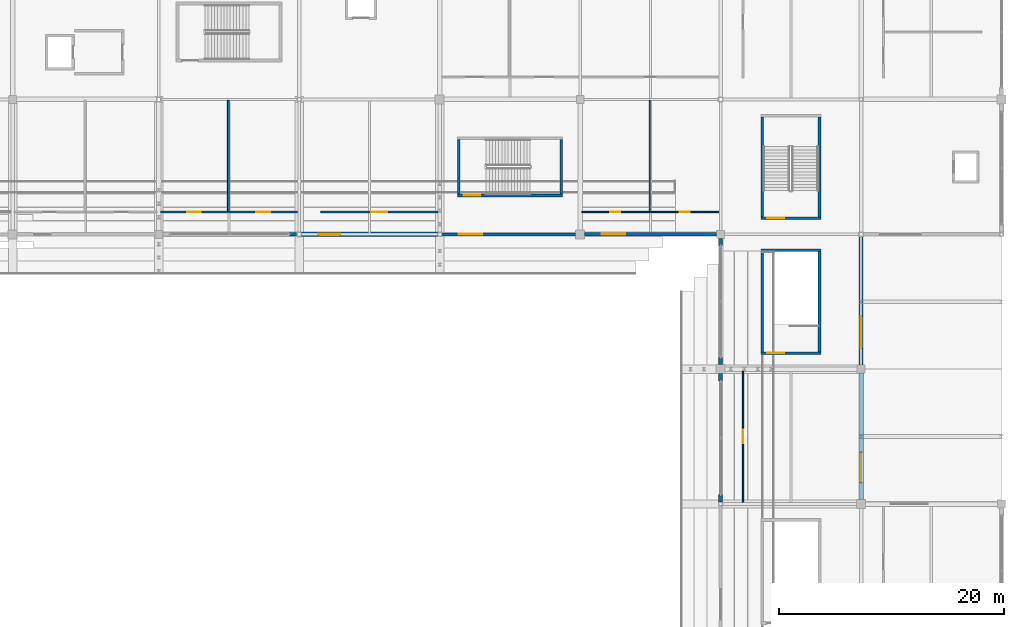
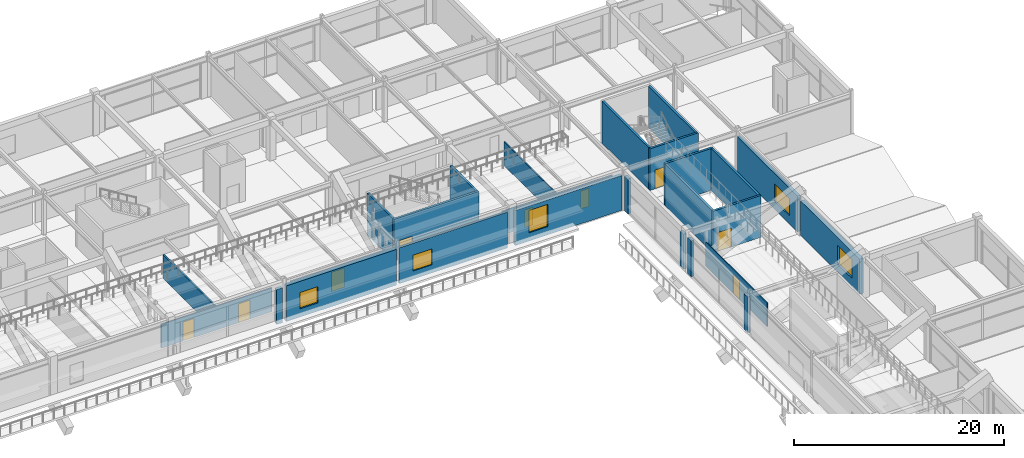
# One storey, part 94 of 128: 26 walls, 9 doors, 5 windows, 14 openings.
"""IFC4 building model written with IfcOpenShell, lengths in metres."""

from ifc_helpers import new_model, si_unit, direction, frame, frame_2d, origin, place, context, subcontext, project, spatial, rectangle, extrude, material, layer, layer_set, type_object, element, fill, save


model = new_model("IFC4")

# Units and contexts
model_context = context("Model", 3, precision=1e-05, world=origin(), true_north=direction((0.0, 1.0)))
body_context = subcontext(model_context, "Body", "Model", "MODEL_VIEW")
ifc_project = project(units=[si_unit("LENGTHUNIT", "METRE"), si_unit("AREAUNIT", "SQUARE_METRE"), si_unit("VOLUMEUNIT", "CUBIC_METRE"), si_unit("PLANEANGLEUNIT", "RADIAN"), si_unit("MASSUNIT", "GRAM", prefix="KILO")], contexts=[model_context])

# Site, building, storey
site_placement = place(None, origin())
site = spatial("IfcSite", under=ifc_project, at=site_placement, CompositionType="ELEMENT")
building_placement = place(site_placement, origin())
building = spatial("IfcBuilding", under=site, at=building_placement, Name="Kazenohara Klinker Stadium", CompositionType="ELEMENT")
storey_placement = place(building_placement, frame((0.0, 0.0, 15.300048828125)))
storey = spatial("IfcBuildingStorey", under=building, at=storey_placement, Name="L03", CompositionType="ELEMENT", Elevation=15.300048828125)

# Wall, opening, door
ifc_material_1 = material(Name="Concrete C40/50", Category="concrete")
ifc_layer_1 = layer(ifc_material_1, 0.22998046875)
ifc_layer_set_1 = layer_set([ifc_layer_1], Name="Concrete C40/50")
wall_type_1 = type_object("IfcWallType", Name="WAL-CORE-230", PredefinedType="SHEAR", material=ifc_layer_set_1)
wall_1_placement = place(storey_placement, frame((178.590087890625, 133.43505859375, 0.0), z_axis=(0.0, 0.0, 1.0), x_axis=(1.0, 0.0, 0.0)))
wall_1 = element("IfcWall", 1, at=wall_1_placement, inside=storey, type_object=wall_type_1, Name="Stairwell shear wall ST12 L03 South", PredefinedType="SHEAR", context=body_context, shape_type="SweptSolid", body=[
    extrude(rectangle(XDim=5.31982421875, YDim=0.22998046875, at=frame_2d((2.659912109375, 0.0))), origin(), (0.0, 0.0, 1.0), 4.85986328125),
])
opening_1_placement = place(wall_1_placement, frame((0.550048828125, 0.0, 0.0)))
opening_1 = element("IfcOpeningElement", 2, at=opening_1_placement, cuts=wall_1, Name="Opening SD02", PredefinedType="OPENING", context=body_context, shape_type="SweptSolid", body=[
    extrude(rectangle(XDim=1.5, YDim=2.199951171875, at=frame_2d((0.75, 1.10009765625))), frame((0.0, 0.125, 0.0), z_axis=(0.0, -1.0, 0.0), x_axis=(1.0, 0.0, 0.0)), (0.0, 0.0, 1.0), 0.25),
])
ifc_material_2 = material(Name="Flush painted steel fire door leaf", Category="steel")
door_type_1 = type_object("IfcDoorType", Name="DR-STR-1500x2200", OperationType="NOTDEFINED", PredefinedType="DOOR", material=ifc_material_2)
door_1_placement = place(opening_1_placement, origin())
door_1 = element("IfcDoor", 3, at=door_1_placement, inside=storey, type_object=door_type_1, Name="Escape stairwell fire door ST12-L03", OperationType="SINGLE_SWING_RIGHT", OverallHeight=2.199951171875, OverallWidth=1.5, PredefinedType="DOOR", context=body_context, shape_type="SweptSolid", body=[
    extrude(rectangle(XDim=1.5, YDim=2.199951171875, at=frame_2d((0.75, 1.10009765625))), frame((0.0, 0.02490234375, 0.0), z_axis=(0.0, -1.0, 0.0), x_axis=(1.0, 0.0, 0.0)), (0.0, 0.0, 1.0), 0.050048828125),
])
fill(opening_1, door_1)

# Walls
for number, where, z_axis, x_axis, name in (
    (4, (178.705078125, 133.550048828125, 0.0), (0.0, 0.0, 1.0), (0.0, 1.0, 0.0), "Stairwell shear wall ST12 L03 West"),
    (5, (183.794921875, 133.550048828125, 0.0), (0.0, 0.0, 1.0), (0.0, 1.0, 0.0), "Stairwell shear wall ST12 L03 East"),
):
    element("IfcWall", number, at=place(storey_placement, frame(where, z_axis=z_axis, x_axis=x_axis)), inside=storey, type_object=wall_type_1, Name=name, PredefinedType="SHEAR", context=body_context, shape_type="SweptSolid", body=[
        extrude(rectangle(XDim=8.89990234375, YDim=0.22998046875, at=frame_2d((4.449951171875, 0.0))), origin(), (0.0, 0.0, 1.0), 4.85986328125),
    ])

# Wall, opening, door
wall_2_placement = place(storey_placement, frame((151.570068359375, 135.455078125, 0.0), z_axis=(0.0, 0.0, 1.0), x_axis=(1.0, 0.0, 0.0)))
wall_2 = element("IfcWall", 6, at=wall_2_placement, inside=storey, type_object=wall_type_1, Name="Stairwell shear wall ST20 L03 South", PredefinedType="SHEAR", context=body_context, shape_type="SweptSolid", body=[
    extrude(rectangle(XDim=9.35986328125, YDim=0.22998046875, at=frame_2d((4.679931640625, 0.0))), origin(), (0.0, 0.0, 1.0), 4.85986328125),
])
opening_2_placement = place(wall_2_placement, frame((0.550048828125, 0.0, 0.0)))
opening_2 = element("IfcOpeningElement", 7, at=opening_2_placement, cuts=wall_2, Name="Opening SD02", PredefinedType="OPENING", context=body_context, shape_type="SweptSolid", body=[
    extrude(rectangle(XDim=1.5, YDim=2.199951171875, at=frame_2d((0.75, 1.10009765625))), frame((0.0, 0.125, 0.0), z_axis=(0.0, -1.0, 0.0), x_axis=(1.0, 0.0, 0.0)), (0.0, 0.0, 1.0), 0.25),
])
door_2_placement = place(opening_2_placement, origin())
door_2 = element("IfcDoor", 8, at=door_2_placement, inside=storey, type_object=door_type_1, Name="Escape stairwell fire door ST20-L03", OperationType="SINGLE_SWING_LEFT", OverallHeight=2.199951171875, OverallWidth=1.5, PredefinedType="DOOR", context=body_context, shape_type="SweptSolid", body=[
    extrude(rectangle(XDim=1.5, YDim=2.199951171875, at=frame_2d((0.75, 1.10009765625))), frame((0.0, 0.02490234375, 0.0), z_axis=(0.0, -1.0, 0.0), x_axis=(1.0, 0.0, 0.0)), (0.0, 0.0, 1.0), 0.050048828125),
])
fill(opening_2, door_2)

# Walls
for number, where, z_axis, x_axis, name in (
    (9, (151.68505859375, 135.570068359375, 0.0), (0.0, 0.0, 1.0), (0.0, 1.0, 0.0), "Stairwell shear wall ST20 L03 West"),
    (10, (160.81494140625, 135.570068359375, 0.0), (0.0, 0.0, 1.0), (0.0, 1.0, 0.0), "Stairwell shear wall ST20 L03 East"),
):
    element("IfcWall", number, at=place(storey_placement, frame(where, z_axis=z_axis, x_axis=x_axis)), inside=storey, type_object=wall_type_1, Name=name, PredefinedType="SHEAR", context=body_context, shape_type="SweptSolid", body=[
        extrude(rectangle(XDim=4.85986328125, YDim=0.22998046875, at=frame_2d((2.429931640625, 0.0))), origin(), (0.0, 0.0, 1.0), 4.85986328125),
    ])

# Wall, opening, door
wall_3_placement = place(storey_placement, frame((178.590087890625, 121.43505859375, 0.0), z_axis=(0.0, 0.0, 1.0), x_axis=(1.0, 0.0, 0.0)))
wall_3 = element("IfcWall", 11, at=wall_3_placement, inside=storey, type_object=wall_type_1, Name="Stairwell shear wall ST24 L03 South", PredefinedType="SHEAR", context=body_context, shape_type="SweptSolid", body=[
    extrude(rectangle(XDim=5.31982421875, YDim=0.22998046875, at=frame_2d((2.659912109375, 0.0))), origin(), (0.0, 0.0, 1.0), 4.85986328125),
])
opening_3_placement = place(wall_3_placement, frame((0.550048828125, 0.0, 0.0)))
opening_3 = element("IfcOpeningElement", 12, at=opening_3_placement, cuts=wall_3, Name="Opening SD02", PredefinedType="OPENING", context=body_context, shape_type="SweptSolid", body=[
    extrude(rectangle(XDim=1.5, YDim=2.199951171875, at=frame_2d((0.75, 1.10009765625))), frame((0.0, 0.125, 0.0), z_axis=(0.0, -1.0, 0.0), x_axis=(1.0, 0.0, 0.0)), (0.0, 0.0, 1.0), 0.25),
])
door_3_placement = place(opening_3_placement, origin())
door_3 = element("IfcDoor", 13, at=door_3_placement, inside=storey, type_object=door_type_1, Name="Escape stairwell fire door ST24-L03", OperationType="SINGLE_SWING_RIGHT", OverallHeight=2.199951171875, OverallWidth=1.5, PredefinedType="DOOR", context=body_context, shape_type="SweptSolid", body=[
    extrude(rectangle(XDim=1.5, YDim=2.199951171875, at=frame_2d((0.75, 1.10009765625))), frame((0.0, 0.02490234375, 0.0), z_axis=(0.0, -1.0, 0.0), x_axis=(1.0, 0.0, 0.0)), (0.0, 0.0, 1.0), 0.050048828125),
])
fill(opening_3, door_3)

# Walls
wall_4_placement = place(storey_placement, frame((178.590087890625, 130.56494140625, 0.0), z_axis=(0.0, 0.0, 1.0), x_axis=(1.0, 0.0, 0.0)))
element("IfcWall", 14, at=wall_4_placement, inside=storey, type_object=wall_type_1, Name="Stairwell shear wall ST24 L03 North", PredefinedType="SHEAR", context=body_context, shape_type="SweptSolid", body=[
    extrude(rectangle(XDim=5.31982421875, YDim=0.22998046875, at=frame_2d((2.659912109375, 0.0))), origin(), (0.0, 0.0, 1.0), 4.85986328125),
])
for number, where, z_axis, x_axis, name in (
    (15, (178.705078125, 121.550048828125, 0.0), (0.0, 0.0, 1.0), (0.0, 1.0, 0.0), "Stairwell shear wall ST24 L03 West"),
    (16, (183.794921875, 121.550048828125, 0.0), (0.0, 0.0, 1.0), (0.0, 1.0, 0.0), "Stairwell shear wall ST24 L03 East"),
):
    element("IfcWall", number, at=place(storey_placement, frame(where, z_axis=z_axis, x_axis=x_axis)), inside=storey, type_object=wall_type_1, Name=name, PredefinedType="SHEAR", context=body_context, shape_type="SweptSolid", body=[
        extrude(rectangle(XDim=8.89990234375, YDim=0.22998046875, at=frame_2d((4.449951171875, 0.0))), origin(), (0.0, 0.0, 1.0), 4.85986328125),
    ])

# Wall, opening, window
ifc_material_3 = material(Name="Clinker brick masonry", Category="masonry")
ifc_layer_2 = layer(ifc_material_3, 0.280029296875)
ifc_layer_set_2 = layer_set([ifc_layer_2], Name="Clinker brick masonry")
wall_type_2 = type_object("IfcWallType", Name="WAL-EXT-CB280", PredefinedType="SOLIDWALL", material=ifc_layer_set_2)
wall_5_placement = place(storey_placement, frame((150.178955078125, 132.0, 0.0), z_axis=(0.0, 0.0, 1.0), x_axis=(1.0, 0.0, 0.0)))
wall_5 = element("IfcWall", 17, at=wall_5_placement, inside=storey, type_object=wall_type_2, Name="Clinker brick cavity wall EW06 L03 X12-11", PredefinedType="SOLIDWALL", context=body_context, shape_type="SweptSolid", body=[
    extrude(rectangle(XDim=11.9169921875, YDim=0.280029296875, at=frame_2d((5.95849609375, 0.0))), origin(), (0.0, 0.0, 1.0), 4.171875),
])
opening_4_placement = place(wall_5_placement, frame((1.5, 0.0, 0.949951171875)))
opening_4 = element("IfcOpeningElement", 18, at=opening_4_placement, cuts=wall_5, Name="Opening W18", PredefinedType="OPENING", context=body_context, shape_type="SweptSolid", body=[
    extrude(rectangle(XDim=2.10009765625, YDim=1.85009765625, at=frame_2d((1.050048828125, 0.925048828125))), frame((0.0, 0.14990234375, 0.0), z_axis=(0.0, -1.0, 0.0), x_axis=(1.0, 0.0, 0.0)), (0.0, 0.0, 1.0), 0.300048828125),
])
ifc_material_4 = material(Name="Dark bronze aluminium frame and triple glazing", Category="aluminium")
window_type_1 = type_object("IfcWindowType", Name="WIN-AS-18", PartitioningType="SINGLE_PANEL", PredefinedType="WINDOW", material=ifc_material_4)
window_1_placement = place(opening_4_placement, origin())
window_1 = element("IfcWindow", 19, at=window_1_placement, inside=storey, type_object=window_type_1, Name="Horizontal-mullion ladder window W18 L03 X12-11", OverallHeight=1.85009765625, OverallWidth=2.10009765625, PartitioningType="SINGLE_PANEL", PredefinedType="WINDOW", context=body_context, shape_type="SweptSolid", body=[
    extrude(rectangle(XDim=2.10009765625, YDim=1.85009765625, at=frame_2d((1.050048828125, 0.925048828125))), frame((0.0, 0.030029296875, 0.0), z_axis=(0.0, -1.0, 0.0), x_axis=(1.0, 0.0, 0.0)), (0.0, 0.0, 1.0), 0.06005859375),
])
fill(opening_4, window_1)

# Wall
ifc_layer_3 = layer(ifc_material_3, 0.340087890625)
ifc_layer_set_3 = layer_set([ifc_layer_3], Name="Clinker brick masonry")
wall_type_3 = type_object("IfcWallType", Name="WAL-EXT-CB340", PredefinedType="SOLIDWALL", material=ifc_layer_set_3)
wall_6_placement = place(storey_placement, frame((136.64599609375, 132.0, 0.0), z_axis=(0.0, 0.0, 1.0), x_axis=(1.0, 0.0, 0.0)))
element("IfcWall", 20, at=wall_6_placement, inside=storey, type_object=wall_type_3, Name="Clinker brick curtain-wall jamb pier L03 X10-11 B", PredefinedType="SOLIDWALL", context=body_context, shape_type="SweptSolid", body=[
    extrude(rectangle(XDim=0.64990234375, YDim=0.340087890625, at=frame_2d((0.324951171875, 0.0))), origin(), (0.0, 0.0, 1.0), 4.06005859375),
])

# Wall, opening, window
wall_7_placement = place(storey_placement, frame((162.904052734375, 132.0, 0.0), z_axis=(0.0, 0.0, 1.0), x_axis=(1.0, 0.0, 0.0)))
wall_7 = element("IfcWall", 21, at=wall_7_placement, inside=storey, type_object=wall_type_3, Name="Clinker brick cavity wall EW04 L03 X13-11", PredefinedType="SOLIDWALL", context=body_context, shape_type="SweptSolid", body=[
    extrude(rectangle(XDim=11.741943359375, YDim=0.340087890625, at=frame_2d((5.87109375, 0.0))), origin(), (0.0, 0.0, 1.0), 4.06005859375),
])
opening_5_placement = place(wall_7_placement, frame((1.5, 0.0, 0.949951171875)))
opening_5 = element("IfcOpeningElement", 22, at=opening_5_placement, cuts=wall_7, Name="Opening W20", PredefinedType="OPENING", context=body_context, shape_type="SweptSolid", body=[
    extrude(rectangle(XDim=2.10009765625, YDim=2.60009765625, at=frame_2d((1.050048828125, 1.300048828125))), frame((0.0, 0.18017578125, 0.0), z_axis=(0.0, -1.0, 0.0), x_axis=(1.0, 0.0, 0.0)), (0.0, 0.0, 1.0), 0.360107421875),
])
window_type_2 = type_object("IfcWindowType", Name="WIN-AS-20", PartitioningType="SINGLE_PANEL", PredefinedType="WINDOW", material=ifc_material_4)
window_2_placement = place(opening_5_placement, origin())
window_2 = element("IfcWindow", 23, at=window_2_placement, inside=storey, type_object=window_type_2, Name="Horizontal-mullion ladder window W20 L03 X13-11", OverallHeight=2.60009765625, OverallWidth=2.10009765625, PartitioningType="SINGLE_PANEL", PredefinedType="WINDOW", context=body_context, shape_type="SweptSolid", body=[
    extrude(rectangle(XDim=2.10009765625, YDim=2.60009765625, at=frame_2d((1.050048828125, 1.300048828125))), frame((0.0, 0.030029296875, 0.0), z_axis=(0.0, -1.0, 0.0), x_axis=(1.0, 0.0, 0.0)), (0.0, 0.0, 1.0), 0.06005859375),
])
fill(opening_5, window_2)

# Walls
wall_8_placement = place(storey_placement, frame((175.0, 108.178955078125, 0.0), z_axis=(0.0, 0.0, 1.0), x_axis=(0.0, 1.0, 0.0)))
element("IfcWall", 24, at=wall_8_placement, inside=storey, type_object=wall_type_3, Name="Clinker brick curtain-wall jamb pier L03 Y14-9 A", PredefinedType="SOLIDWALL", context=body_context, shape_type="SweptSolid", body=[
    extrude(rectangle(XDim=0.650146484375, YDim=0.340087890625, at=frame_2d((0.3251953125, 0.0))), origin(), (0.0, 0.0, 1.0), 4.171875),
])
wall_9_placement = place(storey_placement, frame((175.0, 118.946044921875, 0.0), z_axis=(0.0, 0.0, 1.0), x_axis=(0.0, 1.0, 0.0)))
element("IfcWall", 25, at=wall_9_placement, inside=storey, type_object=wall_type_3, Name="Clinker brick curtain-wall jamb pier L03 Y14-9 B", PredefinedType="SOLIDWALL", context=body_context, shape_type="SweptSolid", body=[
    extrude(rectangle(XDim=0.64990234375, YDim=0.340087890625, at=frame_2d((0.324951171875, 0.0))), origin(), (0.0, 0.0, 1.0), 4.171875),
])
for number, where, z_axis, x_axis, name in (
    (26, (175.0, 120.404052734375, 0.0), (0.0, 0.0, 1.0), (0.0, 1.0, 0.0), "Clinker brick curtain-wall jamb pier L03 Y14-10 A"),
    (27, (175.0, 130.99609375, 0.0), (0.0, 0.0, 1.0), (0.0, 1.0, 0.0), "Clinker brick curtain-wall jamb pier L03 Y14-10 B"),
):
    element("IfcWall", number, at=place(storey_placement, frame(where, z_axis=z_axis, x_axis=x_axis)), inside=storey, type_object=wall_type_3, Name=name, PredefinedType="SOLIDWALL", context=body_context, shape_type="SweptSolid", body=[
        extrude(rectangle(XDim=0.64990234375, YDim=0.340087890625, at=frame_2d((0.324951171875, 0.0))), origin(), (0.0, 0.0, 1.0), 4.06005859375),
    ])

# Wall, opening, window
wall_10_placement = place(storey_placement, frame((187.5, 120.35400390625, 0.0), z_axis=(0.0, 0.0, 1.0), x_axis=(0.0, 1.0, 0.0)))
wall_10 = element("IfcWall", 28, at=wall_10_placement, inside=storey, type_object=wall_type_3, Name="Clinker brick cavity wall EW04 L03 Y15-10", PredefinedType="SOLIDWALL", context=body_context, shape_type="SweptSolid", body=[
    extrude(rectangle(XDim=11.44189453125, YDim=0.340087890625, at=frame_2d((5.720947265625, 0.0))), origin(), (0.0, 0.0, 1.0), 4.159912109375),
])
opening_6_placement = place(wall_10_placement, frame((1.5, 0.0, 0.949951171875)))
opening_6 = element("IfcOpeningElement", 29, at=opening_6_placement, cuts=wall_10, Name="Opening W29", PredefinedType="OPENING", context=body_context, shape_type="SweptSolid", body=[
    extrude(rectangle(XDim=2.85009765625, YDim=2.0, at=frame_2d((1.425048828125, 1.0))), frame((0.0, 0.18017578125, 0.0), z_axis=(0.0, -1.0, 0.0), x_axis=(1.0, 0.0, 0.0)), (0.0, 0.0, 1.0), 0.360107421875),
])
window_type_3 = type_object("IfcWindowType", Name="WIN-AS-29", PartitioningType="SINGLE_PANEL", PredefinedType="WINDOW", material=ifc_material_4)
window_3_placement = place(opening_6_placement, origin())
window_3 = element("IfcWindow", 30, at=window_3_placement, inside=storey, type_object=window_type_3, Name="Horizontal-mullion ladder window W29 L03 Y15-10", OverallHeight=2.0, OverallWidth=2.85009765625, PartitioningType="SINGLE_PANEL", PredefinedType="WINDOW", context=body_context, shape_type="SweptSolid", body=[
    extrude(rectangle(XDim=2.85009765625, YDim=2.0, at=frame_2d((1.425048828125, 1.0))), frame((0.0, 0.030029296875, 0.0), z_axis=(0.0, -1.0, 0.0), x_axis=(1.0, 0.0, 0.0)), (0.0, 0.0, 1.0), 0.06005859375),
])
fill(opening_6, window_3)

ifc_layer_4 = layer(ifc_material_3, 0.409912109375)
ifc_layer_set_4 = layer_set([ifc_layer_4], Name="Clinker brick masonry")
wall_type_4 = type_object("IfcWallType", Name="WAL-EXT-CB410", PredefinedType="SOLIDWALL", material=ifc_layer_set_4)
wall_11_placement = place(storey_placement, frame((137.7041015625, 132.0, 0.0), z_axis=(0.0, 0.0, 1.0), x_axis=(1.0, 0.0, 0.0)))
wall_11 = element("IfcWall", 31, at=wall_11_placement, inside=storey, type_object=wall_type_4, Name="Clinker brick cavity wall EW02 L03 X11-11", PredefinedType="SOLIDWALL", context=body_context, shape_type="SweptSolid", body=[
    extrude(rectangle(XDim=12.116943359375, YDim=0.409912109375, at=frame_2d((6.05859375, 0.0))), origin(), (0.0, 0.0, 1.0), 4.159912109375),
])
opening_7_placement = place(wall_11_placement, frame((1.5, 0.0, 0.949951171875)))
opening_7 = element("IfcOpeningElement", 32, at=opening_7_placement, cuts=wall_11, Name="Opening W16", PredefinedType="OPENING", context=body_context, shape_type="SweptSolid", body=[
    extrude(rectangle(XDim=1.949951171875, YDim=1.89990234375, at=frame_2d((0.97509765625, 0.949951171875))), frame((0.0, 0.21484375, 0.0), z_axis=(0.0, -1.0, 0.0), x_axis=(1.0, 0.0, 0.0)), (0.0, 0.0, 1.0), 0.429931640625),
])
window_type_4 = type_object("IfcWindowType", Name="WIN-AS-16", PartitioningType="SINGLE_PANEL", PredefinedType="WINDOW", material=ifc_material_4)
window_4_placement = place(opening_7_placement, origin())
window_4 = element("IfcWindow", 33, at=window_4_placement, inside=storey, type_object=window_type_4, Name="Horizontal-mullion ladder window W16 L03 X11-11", OverallHeight=1.89990234375, OverallWidth=1.949951171875, PartitioningType="SINGLE_PANEL", PredefinedType="WINDOW", context=body_context, shape_type="SweptSolid", body=[
    extrude(rectangle(XDim=1.949951171875, YDim=1.89990234375, at=frame_2d((0.97509765625, 0.949951171875))), frame((0.0, 0.030029296875, 0.0), z_axis=(0.0, -1.0, 0.0), x_axis=(1.0, 0.0, 0.0)), (0.0, 0.0, 1.0), 0.06005859375),
])
fill(opening_7, window_4)

wall_12_placement = place(storey_placement, frame((187.5, 108.404052734375, 0.0), z_axis=(0.0, 0.0, 1.0), x_axis=(0.0, 1.0, 0.0)))
wall_12 = element("IfcWall", 34, at=wall_12_placement, inside=storey, type_object=wall_type_4, Name="Clinker brick cavity wall EW02 L03 Y15-9", PredefinedType="SOLIDWALL", context=body_context, shape_type="SweptSolid", body=[
    extrude(rectangle(XDim=11.241943359375, YDim=0.409912109375, at=frame_2d((5.62109375, 0.0))), origin(), (0.0, 0.0, 1.0), 4.06005859375),
])
opening_8_placement = place(wall_12_placement, frame((1.5, 0.0, 0.949951171875)))
opening_8 = element("IfcOpeningElement", 35, at=opening_8_placement, cuts=wall_12, Name="Opening W28", PredefinedType="OPENING", context=body_context, shape_type="SweptSolid", body=[
    extrude(rectangle(XDim=2.699951171875, YDim=2.199951171875, at=frame_2d((1.35009765625, 1.10009765625))), frame((0.0, 0.21484375, 0.0), z_axis=(0.0, -1.0, 0.0), x_axis=(1.0, 0.0, 0.0)), (0.0, 0.0, 1.0), 0.429931640625),
])
window_type_5 = type_object("IfcWindowType", Name="WIN-AS-28", PartitioningType="SINGLE_PANEL", PredefinedType="WINDOW", material=ifc_material_4)
window_5_placement = place(opening_8_placement, origin())
window_5 = element("IfcWindow", 36, at=window_5_placement, inside=storey, type_object=window_type_5, Name="Horizontal-mullion ladder window W28 L03 Y15-9", OverallHeight=2.199951171875, OverallWidth=2.699951171875, PartitioningType="SINGLE_PANEL", PredefinedType="WINDOW", context=body_context, shape_type="SweptSolid", body=[
    extrude(rectangle(XDim=2.699951171875, YDim=2.199951171875, at=frame_2d((1.35009765625, 1.10009765625))), frame((0.0, 0.030029296875, 0.0), z_axis=(0.0, -1.0, 0.0), x_axis=(1.0, 0.0, 0.0)), (0.0, 0.0, 1.0), 0.06005859375),
])
fill(opening_8, window_5)

# Wall, openings, doors
ifc_material_5 = material(Name="Fire-rated gypsum board on acoustic studs", Category="gypsum")
ifc_layer_5 = layer(ifc_material_5, 0.110107421875)
ifc_layer_set_5 = layer_set([ifc_layer_5], Name="Fire-rated gypsum board on acoustic studs")
wall_type_5 = type_object("IfcWallType", Name="WAL-INT-P110", PredefinedType="PARTITIONING", material=ifc_layer_set_5)
wall_13_placement = place(storey_placement, frame((162.659912109375, 133.989990234375, 0.0), z_axis=(0.0, 0.0, 1.0), x_axis=(1.0, 0.0, 0.0)))
wall_13 = element("IfcWall", 37, at=wall_13_placement, inside=storey, type_object=wall_type_5, Name="Interior partition wall PT01 SPC-L03-13-11-1-1", PredefinedType="PARTITIONING", context=body_context, shape_type="SweptSolid", body=[
    extrude(rectangle(XDim=12.18017578125, YDim=0.110107421875, at=frame_2d((6.090087890625, 0.0))), origin(), (0.0, 0.0, 1.0), 2.77001953125),
])
opening_9_placement = place(wall_13_placement, frame((2.5244140625, 0.0, 0.0)))
opening_9 = element("IfcOpeningElement", 38, at=opening_9_placement, cuts=wall_13, Name="Opening ID01", PredefinedType="OPENING", context=body_context, shape_type="SweptSolid", body=[
    extrude(rectangle(XDim=0.89990234375, YDim=2.06005859375, at=frame_2d((0.449951171875, 1.030029296875))), frame((0.0, 0.06494140625, 0.0), z_axis=(0.0, -1.0, 0.0), x_axis=(1.0, 0.0, 0.0)), (0.0, 0.0, 1.0), 0.130126953125),
])
opening_10_placement = place(wall_13_placement, frame((8.6845703125, 0.0, 0.0)))
opening_10 = element("IfcOpeningElement", 39, at=opening_10_placement, cuts=wall_13, Name="Opening ID02", PredefinedType="OPENING", context=body_context, shape_type="SweptSolid", body=[
    extrude(rectangle(XDim=0.919921875, YDim=2.10009765625, at=frame_2d((0.4599609375, 1.050048828125))), frame((0.0, 0.06494140625, 0.0), z_axis=(0.0, -1.0, 0.0), x_axis=(1.0, 0.0, 0.0)), (0.0, 0.0, 1.0), 0.130126953125),
])
ifc_material_6 = material(Name="Solid-core Hokkaido oak fire door", Category="wood")
door_type_2 = type_object("IfcDoorType", Name="DR-INT-01", OperationType="NOTDEFINED", PredefinedType="DOOR", material=ifc_material_6)
door_4_placement = place(opening_9_placement, origin())
door_4 = element("IfcDoor", 40, at=door_4_placement, inside=storey, type_object=door_type_2, Name="Interior door ID01 Supporter Tifo Workshop Studio L03-1311A", OperationType="SINGLE_SWING_RIGHT", OverallHeight=2.06005859375, OverallWidth=0.89990234375, PredefinedType="DOOR", context=body_context, shape_type="SweptSolid", body=[
    extrude(rectangle(XDim=0.89990234375, YDim=2.06005859375, at=frame_2d((0.449951171875, 1.030029296875))), frame((0.0, 0.02490234375, 0.0), z_axis=(0.0, -1.0, 0.0), x_axis=(1.0, 0.0, 0.0)), (0.0, 0.0, 1.0), 0.050048828125),
])
fill(opening_9, door_4)
door_type_3 = type_object("IfcDoorType", Name="DR-INT-02", OperationType="NOTDEFINED", PredefinedType="DOOR", material=ifc_material_6)
door_5_placement = place(opening_10_placement, origin())
door_5 = element("IfcDoor", 41, at=door_5_placement, inside=storey, type_object=door_type_3, Name="Interior door ID02 Crowd Safety Monitoring Control Studio L03-1311B", OperationType="SINGLE_SWING_LEFT", OverallHeight=2.10009765625, OverallWidth=0.919921875, PredefinedType="DOOR", context=body_context, shape_type="SweptSolid", body=[
    extrude(rectangle(XDim=0.919921875, YDim=2.10009765625, at=frame_2d((0.4599609375, 1.050048828125))), frame((0.0, 0.02490234375, 0.0), z_axis=(0.0, -1.0, 0.0), x_axis=(1.0, 0.0, 0.0)), (0.0, 0.0, 1.0), 0.050048828125),
])
fill(opening_10, door_5)

# Wall, opening, door
wall_14_placement = place(storey_placement, frame((176.989990234375, 108.159912109375, 0.0), z_axis=(0.0, 0.0, 1.0), x_axis=(0.0, 1.0, 0.0)))
wall_14 = element("IfcWall", 42, at=wall_14_placement, inside=storey, type_object=wall_type_5, Name="Interior partition wall PT01 SPC-L03-14-09-1-1", PredefinedType="PARTITIONING", context=body_context, shape_type="SweptSolid", body=[
    extrude(rectangle(XDim=11.68017578125, YDim=0.110107421875, at=frame_2d((5.840087890625, 0.0))), origin(), (0.0, 0.0, 1.0), 2.77001953125),
])
opening_11_placement = place(wall_14_placement, frame((6.429931640625, 0.0, 0.0), z_axis=(0.0, 0.0, 1.0), x_axis=(-1.0, 0.0, 0.0)))
opening_11 = element("IfcOpeningElement", 43, at=opening_11_placement, cuts=wall_14, Name="Opening ID11", PredefinedType="OPENING", context=body_context, shape_type="SweptSolid", body=[
    extrude(rectangle(XDim=1.179931640625, YDim=2.199951171875, at=frame_2d((0.58984375, 1.10009765625))), frame((0.0, 0.06494140625, 0.0), z_axis=(0.0, -1.0, 0.0), x_axis=(1.0, 0.0, 0.0)), (0.0, 0.0, 1.0), 0.130126953125),
])
door_type_4 = type_object("IfcDoorType", Name="DR-INT-11", OperationType="NOTDEFINED", PredefinedType="DOOR", material=ifc_material_6)
door_6_placement = place(opening_11_placement, origin())
door_6 = element("IfcDoor", 44, at=door_6_placement, inside=storey, type_object=door_type_4, Name="Interior door ID11 Supporter Tifo Workshop Studio L03-1409A", OperationType="SINGLE_SWING_RIGHT", OverallHeight=2.199951171875, OverallWidth=1.179931640625, PredefinedType="DOOR", context=body_context, shape_type="SweptSolid", body=[
    extrude(rectangle(XDim=1.179931640625, YDim=2.199951171875, at=frame_2d((0.58984375, 1.10009765625))), frame((0.0, 0.02490234375, 0.0), z_axis=(0.0, -1.0, 0.0), x_axis=(1.0, 0.0, 0.0)), (0.0, 0.0, 1.0), 0.050048828125),
])
fill(opening_11, door_6)

# Wall
ifc_layer_6 = layer(ifc_material_5, 0.1201171875)
ifc_layer_set_6 = layer_set([ifc_layer_6], Name="Fire-rated gypsum board on acoustic studs")
wall_type_6 = type_object("IfcWallType", Name="WAL-INT-P120", PredefinedType="PARTITIONING", material=ifc_layer_set_6)
wall_15_placement = place(storey_placement, frame((168.689208984375, 134.050048828125, 0.0), z_axis=(0.0, 0.0, 1.0), x_axis=(0.0, 1.0, 0.0)))
element("IfcWall", 45, at=wall_15_placement, inside=storey, type_object=wall_type_6, Name="Interior partition wall PT02 SPC-L03-13-11-1-2", PredefinedType="PARTITIONING", context=body_context, shape_type="SweptSolid", body=[
    extrude(rectangle(XDim=9.869873046875, YDim=0.1201171875, at=frame_2d((4.93505859375, 0.0))), origin(), (0.0, 0.0, 1.0), 2.77001953125),
])

# Wall, openings, doors
ifc_layer_7 = layer(ifc_material_5, 0.14990234375)
ifc_layer_set_7 = layer_set([ifc_layer_7], Name="Fire-rated gypsum board on acoustic studs")
wall_type_7 = type_object("IfcWallType", Name="WAL-INT-P150", PredefinedType="PARTITIONING", material=ifc_layer_set_7)
wall_16_placement = place(storey_placement, frame((125.159912109375, 133.989990234375, 0.0), z_axis=(0.0, 0.0, 1.0), x_axis=(1.0, 0.0, 0.0)))
wall_16 = element("IfcWall", 46, at=wall_16_placement, inside=storey, type_object=wall_type_7, Name="Interior partition wall PT04 SPC-L03-10-11-1-1", PredefinedType="PARTITIONING", context=body_context, shape_type="SweptSolid", body=[
    extrude(rectangle(XDim=12.18017578125, YDim=0.14990234375, at=frame_2d((6.090087890625, 0.0))), origin(), (0.0, 0.0, 1.0), 2.77001953125),
])
opening_12_placement = place(wall_16_placement, frame((2.3544921875, 0.0, 0.0)))
opening_12 = element("IfcOpeningElement", 47, at=opening_12_placement, cuts=wall_16, Name="Opening ID13", PredefinedType="OPENING", context=body_context, shape_type="SweptSolid", body=[
    extrude(rectangle(XDim=1.239990234375, YDim=2.219970703125, at=frame_2d((0.6201171875, 1.10986328125))), frame((0.0, 0.0849609375, 0.0), z_axis=(0.0, -1.0, 0.0), x_axis=(1.0, 0.0, 0.0)), (0.0, 0.0, 1.0), 0.169921875),
])
opening_13_placement = place(wall_16_placement, frame((8.509521484375, 0.0, 0.0)))
opening_13 = element("IfcOpeningElement", 48, at=opening_13_placement, cuts=wall_16, Name="Opening ID14", PredefinedType="OPENING", context=body_context, shape_type="SweptSolid", body=[
    extrude(rectangle(XDim=1.27001953125, YDim=2.199951171875, at=frame_2d((0.635009765625, 1.10009765625))), frame((0.0, 0.0849609375, 0.0), z_axis=(0.0, -1.0, 0.0), x_axis=(1.0, 0.0, 0.0)), (0.0, 0.0, 1.0), 0.169921875),
])
door_type_5 = type_object("IfcDoorType", Name="DR-INT-13", OperationType="NOTDEFINED", PredefinedType="DOOR", material=ifc_material_6)
door_7_placement = place(opening_12_placement, origin())
door_7 = element("IfcDoor", 49, at=door_7_placement, inside=storey, type_object=door_type_5, Name="Interior door ID13 Upper Stand First-Aid Medical Clinic L03-1011A", OperationType="SINGLE_SWING_RIGHT", OverallHeight=2.219970703125, OverallWidth=1.239990234375, PredefinedType="DOOR", context=body_context, shape_type="SweptSolid", body=[
    extrude(rectangle(XDim=1.239990234375, YDim=2.219970703125, at=frame_2d((0.6201171875, 1.10986328125))), frame((0.0, 0.02490234375, 0.0), z_axis=(0.0, -1.0, 0.0), x_axis=(1.0, 0.0, 0.0)), (0.0, 0.0, 1.0), 0.050048828125),
])
fill(opening_12, door_7)
door_type_6 = type_object("IfcDoorType", Name="DR-INT-14", OperationType="NOTDEFINED", PredefinedType="DOOR", material=ifc_material_6)
door_8_placement = place(opening_13_placement, origin())
door_8 = element("IfcDoor", 50, at=door_8_placement, inside=storey, type_object=door_type_6, Name="Interior door ID14 East Panorama Concourse Dining Court L03-1011B", OperationType="SINGLE_SWING_LEFT", OverallHeight=2.199951171875, OverallWidth=1.27001953125, PredefinedType="DOOR", context=body_context, shape_type="SweptSolid", body=[
    extrude(rectangle(XDim=1.27001953125, YDim=2.199951171875, at=frame_2d((0.635009765625, 1.10009765625))), frame((0.0, 0.02490234375, 0.0), z_axis=(0.0, -1.0, 0.0), x_axis=(1.0, 0.0, 0.0)), (0.0, 0.0, 1.0), 0.050048828125),
])
fill(opening_13, door_8)

# Wall
ifc_layer_8 = layer(ifc_material_5, 0.169921875)
ifc_layer_set_8 = layer_set([ifc_layer_8], Name="Fire-rated gypsum board on acoustic studs")
wall_type_8 = type_object("IfcWallType", Name="WAL-INT-P170", PredefinedType="PARTITIONING", material=ifc_layer_set_8)
wall_17_placement = place(storey_placement, frame((131.189208984375, 134.070068359375, 0.0), z_axis=(0.0, 0.0, 1.0), x_axis=(0.0, 1.0, 0.0)))
element("IfcWall", 51, at=wall_17_placement, inside=storey, type_object=wall_type_8, Name="Interior partition wall PT05 SPC-L03-10-11-1-2", PredefinedType="PARTITIONING", context=body_context, shape_type="SweptSolid", body=[
    extrude(rectangle(XDim=9.849853515625, YDim=0.169921875, at=frame_2d((4.9248046875, 0.0))), origin(), (0.0, 0.0, 1.0), 2.77001953125),
])

# Wall, opening, door
wall_18_placement = place(storey_placement, frame((139.419921875, 133.989990234375, 0.0), z_axis=(0.0, 0.0, 1.0), x_axis=(1.0, 0.0, 0.0)))
wall_18 = element("IfcWall", 52, at=wall_18_placement, inside=storey, type_object=wall_type_8, Name="Interior partition wall PT05 SPC-L03-11-11-1-1", PredefinedType="PARTITIONING", context=body_context, shape_type="SweptSolid", body=[
    extrude(rectangle(XDim=10.420166015625, YDim=0.169921875, at=frame_2d((5.2099609375, 0.0))), origin(), (0.0, 0.0, 1.0), 2.77001953125),
])
opening_14_placement = place(wall_18_placement, frame((4.489990234375, 0.0, 0.0)))
opening_14 = element("IfcOpeningElement", 53, at=opening_14_placement, cuts=wall_18, Name="Opening ID19", PredefinedType="OPENING", context=body_context, shape_type="SweptSolid", body=[
    extrude(rectangle(XDim=1.43994140625, YDim=2.260009765625, at=frame_2d((0.719970703125, 1.1298828125))), frame((0.0, 0.094970703125, 0.0), z_axis=(0.0, -1.0, 0.0), x_axis=(1.0, 0.0, 0.0)), (0.0, 0.0, 1.0), 0.18994140625),
])
ifc_material_7 = material(Name="Painted steel plant fire door", Category="steel")
door_type_7 = type_object("IfcDoorType", Name="DR-INT-19", OperationType="NOTDEFINED", PredefinedType="DOOR", material=ifc_material_7)
door_9_placement = place(opening_14_placement, origin())
door_9 = element("IfcDoor", 54, at=door_9_placement, inside=storey, type_object=door_type_7, Name="Interior door ID19 Upper Concourse Hot Beverage Bistro L03-1111A", OperationType="SINGLE_SWING_RIGHT", OverallHeight=2.260009765625, OverallWidth=1.43994140625, PredefinedType="DOOR", context=body_context, shape_type="SweptSolid", body=[
    extrude(rectangle(XDim=1.43994140625, YDim=2.260009765625, at=frame_2d((0.719970703125, 1.1298828125))), frame((0.0, 0.02490234375, 0.0), z_axis=(0.0, -1.0, 0.0), x_axis=(1.0, 0.0, 0.0)), (0.0, 0.0, 1.0), 0.050048828125),
])
fill(opening_14, door_9)

save(model, "model.ifc")
